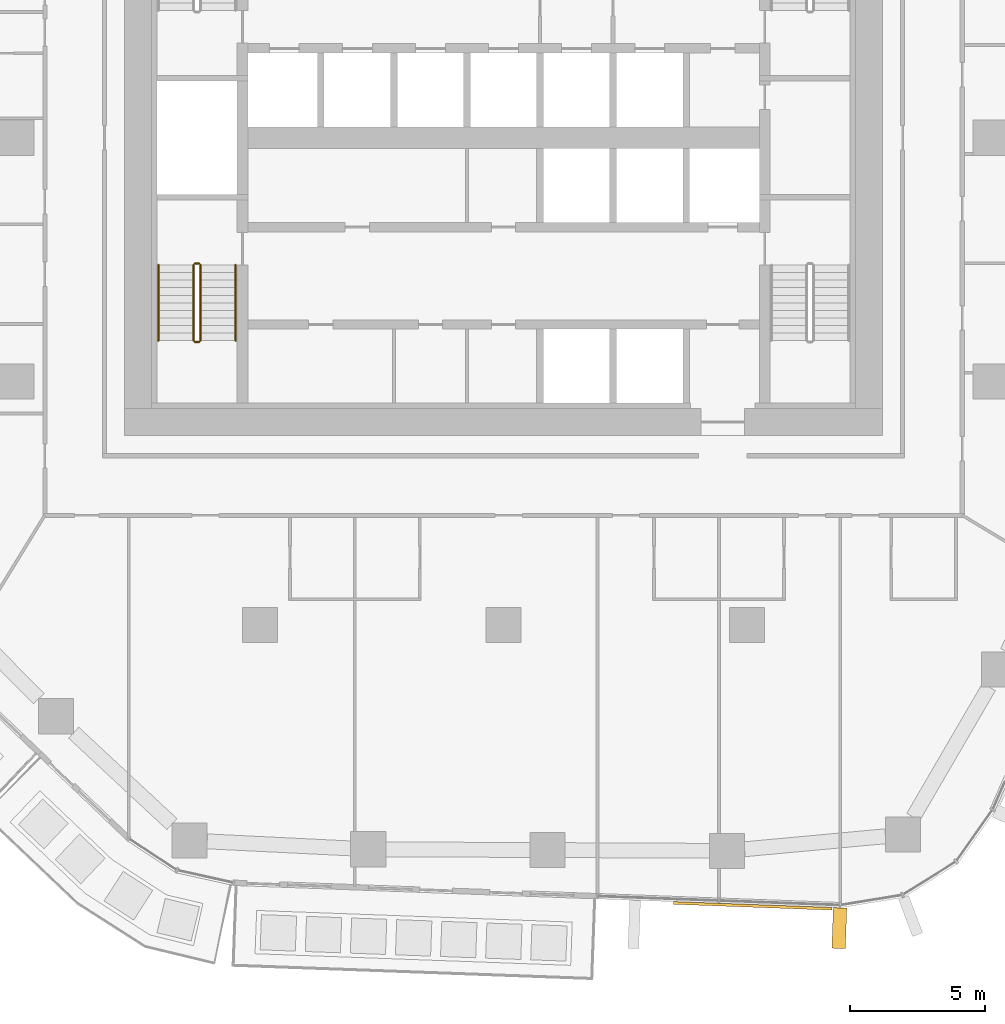
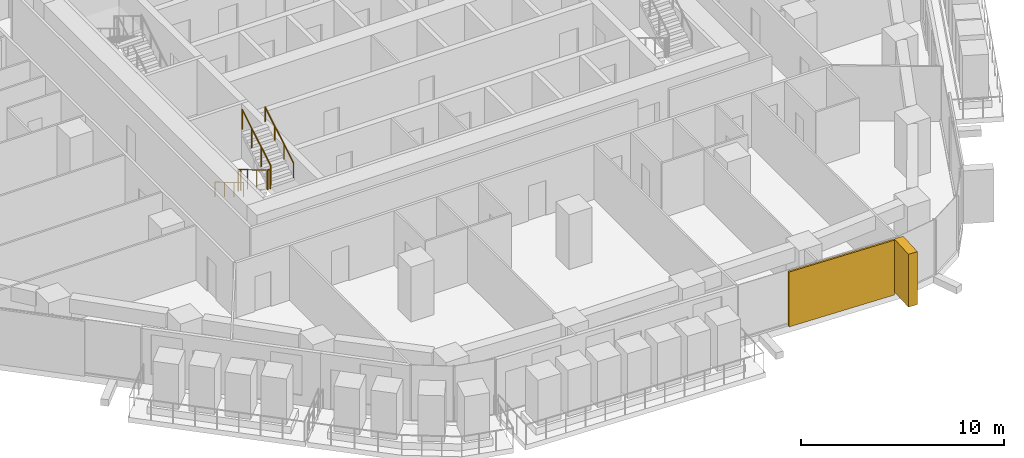
# One storey, part 20 of 24: 6 railings, 2 coverings, 1 element without a shape of its own.
"""IFC4 building model written with IfcOpenShell, lengths in metres."""

import ifcopenshell
import ifcopenshell.guid

model = None  # the IFC model being written
_history = None  # IfcOwnerHistory: only IFC2X3 demands one
_inside = {}  # id of a spatial element -> (the spatial element, [elements in it])
_under = {}  # id of a project, library or spatial element -> (it, [spatial elements below it])
_declared = {}  # id of a project -> (the project, [libraries it declares])
_typed = {}  # id of a type object -> (the type object, [elements of that type])
_made_of = {}  # id of a material, layer set ... -> (it, [elements and type objects made of it])


def new_model(schema):
    """Start an empty IFC model of exactly this schema.

    Asked for "IFC4X3", IfcOpenShell would pick the latest addendum, in which some entities
    have other attributes; the version numbers below select the first issue.
    IFC2X3 requires an IfcOwnerHistory on every rooted entity: one is made here for all.
    """
    global model, _history
    if schema == "IFC4X3":
        model = ifcopenshell.file(schema_version=(4, 3, 0, 0))
    else:
        model = ifcopenshell.file(schema=schema)
    _inside.clear()
    _under.clear()
    _declared.clear()
    _typed.clear()
    _made_of.clear()
    _history = None
    if model.schema == "IFC2X3":
        org = make("IfcOrganization", Name="unknown")
        user = make(
            "IfcPersonAndOrganization",
            ThePerson=make("IfcPerson", FamilyName="unknown"),
            TheOrganization=org,
        )
        app = make(
            "IfcApplication",
            ApplicationDeveloper=org,
            Version="unknown",
            ApplicationFullName="unknown",
            ApplicationIdentifier="unknown",
        )
        _history = make(
            "IfcOwnerHistory",
            OwningUser=user,
            OwningApplication=app,
            ChangeAction="ADDED",
            CreationDate=0,
        )
    return model


def make(cls, **values):
    """One entity of the class cls with the attributes given. An attribute that is None is left unset."""
    return model.create_entity(
        cls, **{name: value for name, value in values.items() if value is not None}
    )


def rooted(cls, **values):
    """An entity with a GlobalId (a new one), such as an element, a storey or a relation."""
    return make(cls, GlobalId=ifcopenshell.guid.new(), OwnerHistory=_history, **values)


def si_unit(unit_type, name, prefix=None):
    """IfcSIUnit, for example si_unit("LENGTHUNIT", "METRE", prefix="MILLI")."""
    return make("IfcSIUnit", UnitType=unit_type, Prefix=prefix, Name=name)


def assignment(units):
    """IfcUnitAssignment: the units of a project."""
    return None if units is None else make("IfcUnitAssignment", Units=units)


def point(xyz):
    """IfcCartesianPoint."""
    return None if xyz is None else make("IfcCartesianPoint", Coordinates=xyz)


def direction(xyz):
    """IfcDirection."""
    return None if xyz is None else make("IfcDirection", DirectionRatios=xyz)


def frame(location, z_axis=None, x_axis=None):
    """IfcAxis2Placement3D, a coordinate frame: its origin and axes. An axis left out is left unset."""
    return make(
        "IfcAxis2Placement3D",
        Location=point(location),
        Axis=direction(z_axis),
        RefDirection=direction(x_axis),
    )


def frame_2d(location, x_axis=None):
    """IfcAxis2Placement2D, a coordinate frame in the plane: its origin and x axis."""
    return make(
        "IfcAxis2Placement2D", Location=point(location), RefDirection=direction(x_axis)
    )


def origin():
    """The frame at (0, 0, 0) with its axes left unset."""
    return frame((0.0, 0.0, 0.0))


def origin_2d():
    """The frame at (0, 0) in the plane with its x axis left unset."""
    return frame_2d((0.0, 0.0))


def place(relative_to, where):
    """IfcLocalPlacement: puts the frame where relative to a parent placement (None: the world)."""
    return make(
        "IfcLocalPlacement", PlacementRelTo=relative_to, RelativePlacement=where
    )


def context(
    kind, dimensions, precision=None, world=None, true_north=None, identifier=None
):
    """IfcGeometricRepresentationContext, for example the 3D "Model" context."""
    return make(
        "IfcGeometricRepresentationContext",
        ContextIdentifier=identifier,
        ContextType=kind,
        CoordinateSpaceDimension=dimensions,
        Precision=precision,
        WorldCoordinateSystem=world,
        TrueNorth=true_north,
    )


def subcontext(parent, identifier, kind, view, scale=None):
    """IfcGeometricRepresentationSubContext, for example "Body" below "Model"."""
    return make(
        "IfcGeometricRepresentationSubContext",
        ContextIdentifier=identifier,
        ContextType=kind,
        ParentContext=parent,
        TargetScale=scale,
        TargetView=view,
    )


def project(units=None, contexts=None):
    """IfcProject with its units and contexts."""
    return rooted(
        "IfcProject",
        Name="project",
        RepresentationContexts=contexts,
        UnitsInContext=assignment(units),
    )


def spatial(cls, under=None, at=None, **own):
    """A site, building, storey or space (cls), placed at a placement, below another one or the project."""
    s = rooted(cls, ObjectPlacement=at, **own)
    if under is not None:
        _under.setdefault(under.id(), (under, []))[1].append(s)
    return s


def profile(cls, at=None, kind="AREA", **sizes):
    """A parametric profile (cls). Its sizes go by their IFC names, for example OverallWidth=200.0."""
    return make(cls, ProfileType=kind, Position=at, **sizes)


def rectangle(**sizes):
    """IfcRectangleProfileDef."""
    return profile("IfcRectangleProfileDef", **sizes)


def circle(**sizes):
    """IfcCircleProfileDef."""
    return profile("IfcCircleProfileDef", **sizes)


def extrude(swept, where, along, depth):
    """IfcExtrudedAreaSolid: the profile swept, set in the frame where, extruded along a direction by depth."""
    return make(
        "IfcExtrudedAreaSolid",
        SweptArea=swept,
        Position=where,
        ExtrudedDirection=direction(along),
        Depth=depth,
    )


def shape(context_of_items, identifier, shape_type, items):
    """IfcShapeRepresentation: the items that make up one representation, for example the "Body"."""
    return make(
        "IfcShapeRepresentation",
        ContextOfItems=context_of_items,
        RepresentationIdentifier=identifier,
        RepresentationType=shape_type,
        Items=items,
    )


def material(Name=None, Category=None):
    """IfcMaterial."""
    return make("IfcMaterial", Name=Name, Category=Category)


def layer(
    of_material, thickness, ventilated=None, Name=None, Category=None, Priority=None
):
    """IfcMaterialLayer: one layer of a wall or slab, of a material (None: an air gap)."""
    return make(
        "IfcMaterialLayer",
        Material=of_material,
        LayerThickness=thickness,
        IsVentilated=ventilated,
        Name=Name,
        Category=Category,
        Priority=Priority,
    )


def layer_set(layers, Name=None):
    """IfcMaterialLayerSet."""
    return make("IfcMaterialLayerSet", MaterialLayers=layers, LayerSetName=Name)


def material_profile(
    of_material, cross_section, Name=None, Category=None, Priority=None
):
    """IfcMaterialProfile: a cross section and its material."""
    return make(
        "IfcMaterialProfile",
        Name=Name,
        Material=of_material,
        Profile=cross_section,
        Priority=Priority,
        Category=Category,
    )


def profile_set(profiles, Name=None, composite=None):
    """IfcMaterialProfileSet."""
    return make(
        "IfcMaterialProfileSet",
        Name=Name,
        MaterialProfiles=profiles,
        CompositeProfile=composite,
    )


def made_of(thing, what):
    """Note that an element or type object is made of a material, layer set ...; save() writes the relation."""
    if what is not None:
        _made_of.setdefault(what.id(), (what, []))[1].append(thing)
    return thing


def type_object(cls, material=None, **own):
    """A type object (cls), such as IfcWallType, which elements share."""
    return made_of(rooted(cls, **own), material)


def element(
    cls,
    number,
    at=None,
    inside=None,
    cuts=None,
    type_object=None,
    material=None,
    context=None,
    identifier="Body",
    shape_type=None,
    held_by="IfcProductDefinitionShape",
    body=None,
    shapes=None,
    **own,
):
    """One element of the class cls, such as IfcWall. Its Tag is "e" and its number.

    at: its placement. inside: the storey or other place that contains it. cuts: it is an
    opening in that element (IfcRelVoidsElement). A single representation is given by context,
    identifier, shape_type and body (its items); several are given by shapes. held_by: the class
    of the entity that holds the representations. save() writes the other relations.
    """
    e = rooted(cls, Tag="e%d" % number, ObjectPlacement=at, **own)
    if body is not None:
        shapes = [shape(context, identifier, shape_type, body)]
    if shapes is not None:
        e.Representation = make(held_by, Representations=shapes)
    if inside is not None:
        _inside.setdefault(inside.id(), (inside, []))[1].append(e)
    if cuts is not None:
        rooted(
            "IfcRelVoidsElement", RelatingBuildingElement=cuts, RelatedOpeningElement=e
        )
    if type_object is not None:
        _typed.setdefault(type_object.id(), (type_object, []))[1].append(e)
    return made_of(e, material)


def aggregate(whole, parts):
    """IfcRelAggregates: a whole, such as a stair, and the parts it consists of."""
    return rooted("IfcRelAggregates", RelatingObject=whole, RelatedObjects=parts)


def save(model, path):
    """Write the relations noted so far, then the file.

    IfcRelAggregates (storeys below a building ...), IfcRelContainedInSpatialStructure (elements
    in a storey), IfcRelDefinesByType, IfcRelAssociatesMaterial and IfcRelDeclares: one each for
    every whole, place, type object, material and project.
    """
    for whole, parts in _under.values():
        aggregate(whole, parts)
    for where, things in _inside.values():
        rooted(
            "IfcRelContainedInSpatialStructure",
            RelatedElements=things,
            RelatingStructure=where,
        )
    for kind, things in _typed.values():
        rooted("IfcRelDefinesByType", RelatedObjects=things, RelatingType=kind)
    for what, things in _made_of.values():
        rooted("IfcRelAssociatesMaterial", RelatedObjects=things, RelatingMaterial=what)
    for by, libraries in _declared.values():
        rooted("IfcRelDeclares", RelatingContext=by, RelatedDefinitions=libraries)
    model.write(path)


model = new_model("IFC4")

# Units and contexts
model_context = context("Model", 3, precision=1e-05, world=origin(), true_north=direction((0.0, 1.0)))
body_context = subcontext(model_context, "Body", "Model", "MODEL_VIEW")
ifc_project = project(units=[si_unit("LENGTHUNIT", "METRE"), si_unit("AREAUNIT", "SQUARE_METRE"), si_unit("VOLUMEUNIT", "CUBIC_METRE"), si_unit("PLANEANGLEUNIT", "RADIAN"), si_unit("MASSUNIT", "GRAM", prefix="KILO")], contexts=[model_context])

# Site, building, storey
site_placement = place(None, origin())
site = spatial("IfcSite", under=ifc_project, at=site_placement, CompositionType="ELEMENT")
building_placement = place(site_placement, origin())
building = spatial("IfcBuilding", under=site, at=building_placement, Name="Dongbaek Canopy Tower", CompositionType="ELEMENT")
storey_placement = place(building_placement, frame((0.0, 0.0, 110.0)))
storey = spatial("IfcBuildingStorey", under=building, at=storey_placement, Name="L23", CompositionType="ELEMENT", Elevation=110.0)

# Curtain wall, coverings
ifc_material_1 = material(Name="Aluminium 6063-T6 pale anodised", Category="aluminium")
ifc_layer_1 = layer(ifc_material_1, 0.199951171875)
ifc_layer_set_1 = layer_set([ifc_layer_1], Name="CW-1 unitised tower curtain wall")
curtain_wall_type = type_object("IfcCurtainWallType", Name="CW-1 unitised tower curtain wall", PredefinedType="NOTDEFINED", material=ifc_layer_set_1)
curtain_wall_placement = place(storey_placement, origin())
curtain_wall = element("IfcCurtainWall", 1, at=curtain_wall_placement, inside=storey, type_object=curtain_wall_type, Name="CW-1 curtain wall F4.1", PredefinedType="NOTDEFINED")
ifc_material_2 = material(Name="Perforated aluminium 6063-T6 pale metal screen", Category="aluminium")
ifc_layer_2 = layer(ifc_material_2, 0.10009765625)
ifc_layer_set_2 = layer_set([ifc_layer_2], Name="Facet screen FS1 100 pale metal")
covering_type_1 = type_object("IfcCoveringType", Name="Facet screen FS1 100 pale metal", PredefinedType="CLADDING", material=ifc_layer_set_2)
covering_1_placement = place(storey_placement, frame((9.208984375, -28.381591796875, 0.0), z_axis=(0.0, 0.0, 1.0), x_axis=(0.999319989509, -0.036872192324, 0.0)))
covering_1 = element("IfcCovering", 2, at=covering_1_placement, type_object=covering_type_1, Name="Facet screen L23 F4", PredefinedType="CLADDING", context=body_context, shape_type="SweptSolid", body=[
    extrude(rectangle(XDim=5.87451171875, YDim=0.10009765625, at=origin_2d()), origin(), (0.0, 0.0, 1.0), 3.300048828125),
])
ifc_material_3 = material(Name="Aluminium 6063-T6 pale metal fin", Category="aluminium")
ifc_material_profile = material_profile(ifc_material_3, rectangle(XDim=1.5, YDim=0.5, at=origin_2d()), Name="Fin FN1 500 x 1500 pale metal")
ifc_profile_set = profile_set([ifc_material_profile], Name="Aluminium 6063-T6 pale metal fin")
covering_type_2 = type_object("IfcCoveringType", Name="Fin FN1 500 x 1500 pale metal", PredefinedType="CLADDING", material=ifc_profile_set)
covering_2_placement = place(storey_placement, frame((12.408203125, -29.2041015625, 0.1201171875), z_axis=(0.0, 0.0, 1.0), x_axis=(-0.036872652499, -0.99931997253, 0.0)))
covering_2 = element("IfcCovering", 3, at=covering_2_placement, type_object=covering_type_2, Name="Fin F4.1.3", PredefinedType="CLADDING", context=body_context, shape_type="SweptSolid", body=[
    extrude(rectangle(XDim=1.5, YDim=0.5, at=origin_2d()), origin(), (0.0, 0.0, 1.0), 3.179931640625),
])
aggregate(curtain_wall, [covering_2, covering_1])

# Railings
ifc_material_4 = material(Name="Stainless steel tube and balusters", Category="steel")
railing_type_1 = type_object("IfcRailingType", Name="Stair guard 1200", PredefinedType="GUARDRAIL", material=ifc_material_4)
railing_1_placement = place(storey_placement, frame((-11.449951171875, -4.699951171875, 0.168212890625)))
element("IfcRailing", 4, at=railing_1_placement, inside=storey, type_object=railing_type_1, Name="L23 ST-D stair guard 1", PredefinedType="GUARDRAIL", context=body_context, shape_type="SweptSolid", body=[
    extrude(circle(Radius=0.02392578125, at=origin_2d()), frame((0.0, 0.0, 1.17578125), z_axis=(0.0, -0.857242210791, 0.514913383045), x_axis=(1.0, 0.0, 0.0)), (0.0, 0.0, 1.0), 3.266357421875),
    extrude(circle(Radius=0.02099609375, at=origin_2d()), origin(), (0.0, 0.0, 1.0), 1.15185546875),
    extrude(circle(Radius=0.02099609375, at=origin_2d()), frame((0.0, -0.933349609375, 0.560546875)), (0.0, 0.0, 1.0), 1.15185546875),
    extrude(circle(Radius=0.02099609375, at=origin_2d()), frame((0.0, -1.86669921875, 1.121337890625)), (0.0, 0.0, 1.0), 1.15185546875),
    extrude(circle(Radius=0.02099609375, at=origin_2d()), frame((0.0, -2.800048828125, 1.681884765625)), (0.0, 0.0, 1.0), 1.15185546875),
])
railing_2_placement = place(storey_placement, frame((-11.39990234375, -7.550048828125, 1.85009765625)))
element("IfcRailing", 5, at=railing_2_placement, inside=storey, type_object=railing_type_1, Name="L23 ST-D stair guard 2", PredefinedType="GUARDRAIL", context=body_context, shape_type="SweptSolid", body=[
    extrude(circle(Radius=0.02392578125, at=origin_2d()), frame((0.0, 0.0, 1.17578125), z_axis=(1.0, 0.0, 0.0), x_axis=(0.0, 1.0, 0.0)), (0.0, 0.0, 1.0), 0.14990234375),
    extrude(circle(Radius=0.02099609375, at=origin_2d()), origin(), (0.0, 0.0, 1.0), 1.15185546875),
    extrude(circle(Radius=0.02099609375, at=origin_2d()), frame((0.14990234375, 0.0, 0.0)), (0.0, 0.0, 1.0), 1.15185546875),
])
railing_3_placement = place(storey_placement, frame((-11.199951171875, -7.5, 2.01806640625)))
element("IfcRailing", 6, at=railing_3_placement, inside=storey, type_object=railing_type_1, Name="L23 ST-D stair guard 3", PredefinedType="GUARDRAIL", context=body_context, shape_type="SweptSolid", body=[
    extrude(circle(Radius=0.02392578125, at=origin_2d()), frame((0.0, 0.0, 1.17578125), z_axis=(0.0, 0.857242210791, 0.514913383045), x_axis=(-1.0, 0.0, 0.0)), (0.0, 0.0, 1.0), 3.266357421875),
    extrude(circle(Radius=0.02099609375, at=origin_2d()), origin(), (0.0, 0.0, 1.0), 1.15185546875),
    extrude(circle(Radius=0.02099609375, at=origin_2d()), frame((0.0, 0.933349609375, 0.560546875)), (0.0, 0.0, 1.0), 1.15185546875),
    extrude(circle(Radius=0.02099609375, at=origin_2d()), frame((0.0, 1.86669921875, 1.121337890625)), (0.0, 0.0, 1.0), 1.15185546875),
    extrude(circle(Radius=0.02099609375, at=origin_2d()), frame((0.0, 2.800048828125, 1.681884765625)), (0.0, 0.0, 1.0), 1.15185546875),
])
railing_4_placement = place(storey_placement, frame((-11.39990234375, -4.64990234375, 0.0)))
element("IfcRailing", 7, at=railing_4_placement, inside=storey, type_object=railing_type_1, Name="L23 ST-D stair guard 4", PredefinedType="GUARDRAIL", context=body_context, shape_type="SweptSolid", body=[
    extrude(circle(Radius=0.02392578125, at=origin_2d()), frame((0.0, 0.0, 1.17578125), z_axis=(1.0, 0.0, 0.0), x_axis=(0.0, 1.0, 0.0)), (0.0, 0.0, 1.0), 0.14990234375),
    extrude(circle(Radius=0.02099609375, at=origin_2d()), origin(), (0.0, 0.0, 1.0), 1.15185546875),
    extrude(circle(Radius=0.02099609375, at=origin_2d()), frame((0.14990234375, 0.0, 0.0)), (0.0, 0.0, 1.0), 1.15185546875),
])
ifc_material_5 = material(Name="Stainless steel tube", Category="steel")
railing_type_2 = type_object("IfcRailingType", Name="Stair handrail 900", PredefinedType="HANDRAIL", material=ifc_material_5)
railing_5_placement = place(storey_placement, frame((-12.75, -4.699951171875, 0.168212890625)))
element("IfcRailing", 8, at=railing_5_placement, inside=storey, type_object=railing_type_2, Name="L23 ST-D stair handrail 1", PredefinedType="HANDRAIL", context=body_context, shape_type="SweptSolid", body=[
    extrude(circle(Radius=0.02392578125, at=origin_2d()), frame((0.0, 0.0, 0.8759765625), z_axis=(0.0, -0.857242210791, 0.514913383045), x_axis=(1.0, 0.0, 0.0)), (0.0, 0.0, 1.0), 3.266357421875),
    extrude(circle(Radius=0.02099609375, at=origin_2d()), origin(), (0.0, 0.0, 1.0), 0.851806640625),
    extrude(circle(Radius=0.02099609375, at=origin_2d()), frame((0.0, -0.933349609375, 0.560546875)), (0.0, 0.0, 1.0), 0.851806640625),
    extrude(circle(Radius=0.02099609375, at=origin_2d()), frame((0.0, -1.86669921875, 1.121337890625)), (0.0, 0.0, 1.0), 0.851806640625),
    extrude(circle(Radius=0.02099609375, at=origin_2d()), frame((0.0, -2.800048828125, 1.681884765625)), (0.0, 0.0, 1.0), 0.851806640625),
])
railing_6_placement = place(storey_placement, frame((-9.89990234375, -7.5, 2.01806640625)))
element("IfcRailing", 9, at=railing_6_placement, inside=storey, type_object=railing_type_2, Name="L23 ST-D stair handrail 2", PredefinedType="HANDRAIL", context=body_context, shape_type="SweptSolid", body=[
    extrude(circle(Radius=0.02392578125, at=origin_2d()), frame((0.0, 0.0, 0.8759765625), z_axis=(0.0, 0.857242210791, 0.514913383045), x_axis=(-1.0, 0.0, 0.0)), (0.0, 0.0, 1.0), 3.266357421875),
    extrude(circle(Radius=0.02099609375, at=origin_2d()), origin(), (0.0, 0.0, 1.0), 0.851806640625),
    extrude(circle(Radius=0.02099609375, at=origin_2d()), frame((0.0, 0.933349609375, 0.560546875)), (0.0, 0.0, 1.0), 0.851806640625),
    extrude(circle(Radius=0.02099609375, at=origin_2d()), frame((0.0, 1.86669921875, 1.121337890625)), (0.0, 0.0, 1.0), 0.851806640625),
    extrude(circle(Radius=0.02099609375, at=origin_2d()), frame((0.0, 2.800048828125, 1.681884765625)), (0.0, 0.0, 1.0), 0.851806640625),
])

save(model, "model.ifc")
